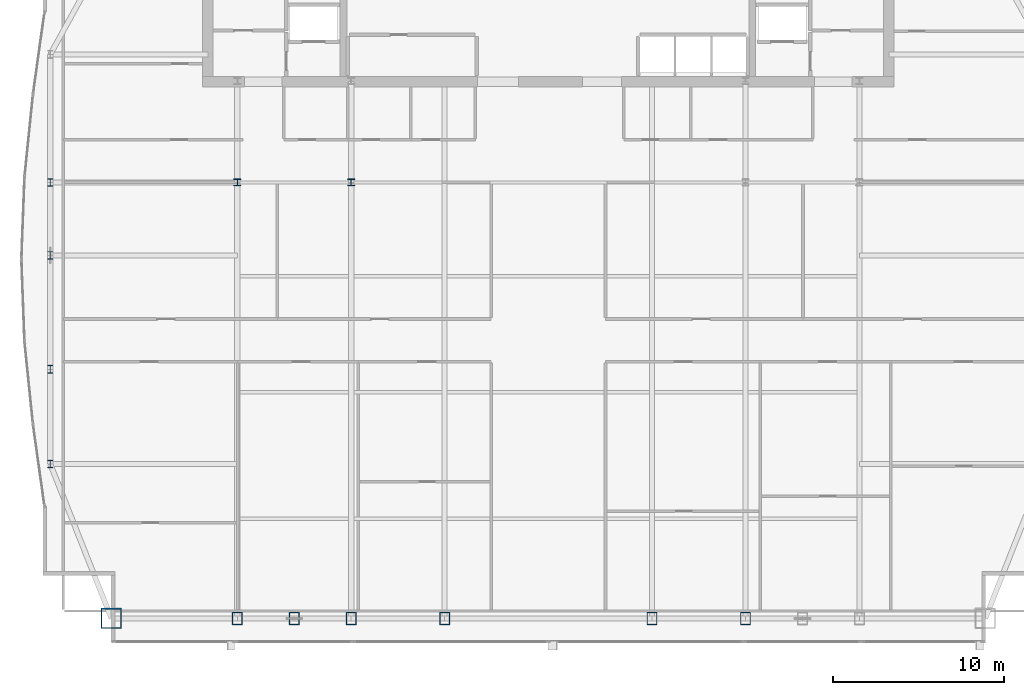
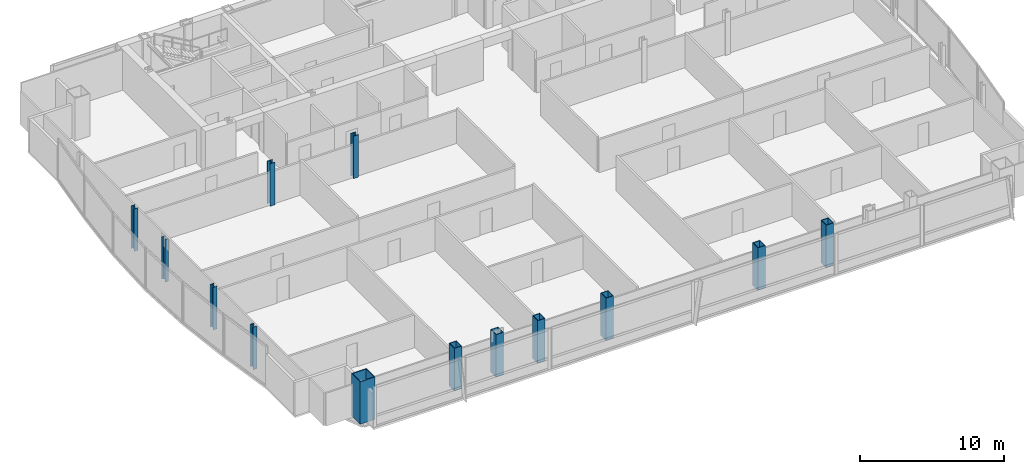
# One storey, part 1 of 32: 13 columns.
"""IFC4 building model written with IfcOpenShell, lengths in metres."""

import ifcopenshell
import ifcopenshell.guid

model = None  # the IFC model being written
_history = None  # IfcOwnerHistory: only IFC2X3 demands one
_inside = {}  # id of a spatial element -> (the spatial element, [elements in it])
_under = {}  # id of a project, library or spatial element -> (it, [spatial elements below it])
_declared = {}  # id of a project -> (the project, [libraries it declares])
_typed = {}  # id of a type object -> (the type object, [elements of that type])
_made_of = {}  # id of a material, layer set ... -> (it, [elements and type objects made of it])


def new_model(schema):
    """Start an empty IFC model of exactly this schema.

    Asked for "IFC4X3", IfcOpenShell would pick the latest addendum, in which some entities
    have other attributes; the version numbers below select the first issue.
    IFC2X3 requires an IfcOwnerHistory on every rooted entity: one is made here for all.
    """
    global model, _history
    if schema == "IFC4X3":
        model = ifcopenshell.file(schema_version=(4, 3, 0, 0))
    else:
        model = ifcopenshell.file(schema=schema)
    _inside.clear()
    _under.clear()
    _declared.clear()
    _typed.clear()
    _made_of.clear()
    _history = None
    if model.schema == "IFC2X3":
        org = make("IfcOrganization", Name="unknown")
        user = make(
            "IfcPersonAndOrganization",
            ThePerson=make("IfcPerson", FamilyName="unknown"),
            TheOrganization=org,
        )
        app = make(
            "IfcApplication",
            ApplicationDeveloper=org,
            Version="unknown",
            ApplicationFullName="unknown",
            ApplicationIdentifier="unknown",
        )
        _history = make(
            "IfcOwnerHistory",
            OwningUser=user,
            OwningApplication=app,
            ChangeAction="ADDED",
            CreationDate=0,
        )
    return model


def make(cls, **values):
    """One entity of the class cls with the attributes given. An attribute that is None is left unset."""
    return model.create_entity(
        cls, **{name: value for name, value in values.items() if value is not None}
    )


def rooted(cls, **values):
    """An entity with a GlobalId (a new one), such as an element, a storey or a relation."""
    return make(cls, GlobalId=ifcopenshell.guid.new(), OwnerHistory=_history, **values)


def si_unit(unit_type, name, prefix=None):
    """IfcSIUnit, for example si_unit("LENGTHUNIT", "METRE", prefix="MILLI")."""
    return make("IfcSIUnit", UnitType=unit_type, Prefix=prefix, Name=name)


def assignment(units):
    """IfcUnitAssignment: the units of a project."""
    return None if units is None else make("IfcUnitAssignment", Units=units)


def point(xyz):
    """IfcCartesianPoint."""
    return None if xyz is None else make("IfcCartesianPoint", Coordinates=xyz)


def direction(xyz):
    """IfcDirection."""
    return None if xyz is None else make("IfcDirection", DirectionRatios=xyz)


def frame(location, z_axis=None, x_axis=None):
    """IfcAxis2Placement3D, a coordinate frame: its origin and axes. An axis left out is left unset."""
    return make(
        "IfcAxis2Placement3D",
        Location=point(location),
        Axis=direction(z_axis),
        RefDirection=direction(x_axis),
    )


def frame_2d(location, x_axis=None):
    """IfcAxis2Placement2D, a coordinate frame in the plane: its origin and x axis."""
    return make(
        "IfcAxis2Placement2D", Location=point(location), RefDirection=direction(x_axis)
    )


def origin():
    """The frame at (0, 0, 0) with its axes left unset."""
    return frame((0.0, 0.0, 0.0))


def origin_2d():
    """The frame at (0, 0) in the plane with its x axis left unset."""
    return frame_2d((0.0, 0.0))


def place(relative_to, where):
    """IfcLocalPlacement: puts the frame where relative to a parent placement (None: the world)."""
    return make(
        "IfcLocalPlacement", PlacementRelTo=relative_to, RelativePlacement=where
    )


def context(
    kind, dimensions, precision=None, world=None, true_north=None, identifier=None
):
    """IfcGeometricRepresentationContext, for example the 3D "Model" context."""
    return make(
        "IfcGeometricRepresentationContext",
        ContextIdentifier=identifier,
        ContextType=kind,
        CoordinateSpaceDimension=dimensions,
        Precision=precision,
        WorldCoordinateSystem=world,
        TrueNorth=true_north,
    )


def subcontext(parent, identifier, kind, view, scale=None):
    """IfcGeometricRepresentationSubContext, for example "Body" below "Model"."""
    return make(
        "IfcGeometricRepresentationSubContext",
        ContextIdentifier=identifier,
        ContextType=kind,
        ParentContext=parent,
        TargetScale=scale,
        TargetView=view,
    )


def project(units=None, contexts=None):
    """IfcProject with its units and contexts."""
    return rooted(
        "IfcProject",
        Name="project",
        RepresentationContexts=contexts,
        UnitsInContext=assignment(units),
    )


def spatial(cls, under=None, at=None, **own):
    """A site, building, storey or space (cls), placed at a placement, below another one or the project."""
    s = rooted(cls, ObjectPlacement=at, **own)
    if under is not None:
        _under.setdefault(under.id(), (under, []))[1].append(s)
    return s


def profile(cls, at=None, kind="AREA", **sizes):
    """A parametric profile (cls). Its sizes go by their IFC names, for example OverallWidth=200.0."""
    return make(cls, ProfileType=kind, Position=at, **sizes)


def hollow_rectangle(**sizes):
    """IfcRectangleHollowProfileDef."""
    return profile("IfcRectangleHollowProfileDef", **sizes)


def i_section(**sizes):
    """IfcIShapeProfileDef."""
    return profile("IfcIShapeProfileDef", **sizes)


def extrude(swept, where, along, depth):
    """IfcExtrudedAreaSolid: the profile swept, set in the frame where, extruded along a direction by depth."""
    return make(
        "IfcExtrudedAreaSolid",
        SweptArea=swept,
        Position=where,
        ExtrudedDirection=direction(along),
        Depth=depth,
    )


def shape(context_of_items, identifier, shape_type, items):
    """IfcShapeRepresentation: the items that make up one representation, for example the "Body"."""
    return make(
        "IfcShapeRepresentation",
        ContextOfItems=context_of_items,
        RepresentationIdentifier=identifier,
        RepresentationType=shape_type,
        Items=items,
    )


def material(Name=None, Category=None):
    """IfcMaterial."""
    return make("IfcMaterial", Name=Name, Category=Category)


def material_profile(
    of_material, cross_section, Name=None, Category=None, Priority=None
):
    """IfcMaterialProfile: a cross section and its material."""
    return make(
        "IfcMaterialProfile",
        Name=Name,
        Material=of_material,
        Profile=cross_section,
        Priority=Priority,
        Category=Category,
    )


def profile_set(profiles, Name=None, composite=None):
    """IfcMaterialProfileSet."""
    return make(
        "IfcMaterialProfileSet",
        Name=Name,
        MaterialProfiles=profiles,
        CompositeProfile=composite,
    )


def made_of(thing, what):
    """Note that an element or type object is made of a material, layer set ...; save() writes the relation."""
    if what is not None:
        _made_of.setdefault(what.id(), (what, []))[1].append(thing)
    return thing


def type_object(cls, material=None, **own):
    """A type object (cls), such as IfcWallType, which elements share."""
    return made_of(rooted(cls, **own), material)


def element(
    cls,
    number,
    at=None,
    inside=None,
    cuts=None,
    type_object=None,
    material=None,
    context=None,
    identifier="Body",
    shape_type=None,
    held_by="IfcProductDefinitionShape",
    body=None,
    shapes=None,
    **own,
):
    """One element of the class cls, such as IfcWall. Its Tag is "e" and its number.

    at: its placement. inside: the storey or other place that contains it. cuts: it is an
    opening in that element (IfcRelVoidsElement). A single representation is given by context,
    identifier, shape_type and body (its items); several are given by shapes. held_by: the class
    of the entity that holds the representations. save() writes the other relations.
    """
    e = rooted(cls, Tag="e%d" % number, ObjectPlacement=at, **own)
    if body is not None:
        shapes = [shape(context, identifier, shape_type, body)]
    if shapes is not None:
        e.Representation = make(held_by, Representations=shapes)
    if inside is not None:
        _inside.setdefault(inside.id(), (inside, []))[1].append(e)
    if cuts is not None:
        rooted(
            "IfcRelVoidsElement", RelatingBuildingElement=cuts, RelatedOpeningElement=e
        )
    if type_object is not None:
        _typed.setdefault(type_object.id(), (type_object, []))[1].append(e)
    return made_of(e, material)


def aggregate(whole, parts):
    """IfcRelAggregates: a whole, such as a stair, and the parts it consists of."""
    return rooted("IfcRelAggregates", RelatingObject=whole, RelatedObjects=parts)


def save(model, path):
    """Write the relations noted so far, then the file.

    IfcRelAggregates (storeys below a building ...), IfcRelContainedInSpatialStructure (elements
    in a storey), IfcRelDefinesByType, IfcRelAssociatesMaterial and IfcRelDeclares: one each for
    every whole, place, type object, material and project.
    """
    for whole, parts in _under.values():
        aggregate(whole, parts)
    for where, things in _inside.values():
        rooted(
            "IfcRelContainedInSpatialStructure",
            RelatedElements=things,
            RelatingStructure=where,
        )
    for kind, things in _typed.values():
        rooted("IfcRelDefinesByType", RelatedObjects=things, RelatingType=kind)
    for what, things in _made_of.values():
        rooted("IfcRelAssociatesMaterial", RelatedObjects=things, RelatingMaterial=what)
    for by, libraries in _declared.values():
        rooted("IfcRelDeclares", RelatingContext=by, RelatedDefinitions=libraries)
    model.write(path)


model = new_model("IFC4")

# Units and contexts
model_context = context("Model", 3, precision=1e-05, world=origin(), true_north=direction((0.0, 1.0)))
body_context = subcontext(model_context, "Body", "Model", "MODEL_VIEW")
ifc_project = project(units=[si_unit("LENGTHUNIT", "METRE"), si_unit("AREAUNIT", "SQUARE_METRE"), si_unit("VOLUMEUNIT", "CUBIC_METRE"), si_unit("PLANEANGLEUNIT", "RADIAN"), si_unit("MASSUNIT", "GRAM", prefix="KILO")], contexts=[model_context])

# Site, building, storey
site_placement = place(None, origin())
site = spatial("IfcSite", under=ifc_project, at=site_placement, CompositionType="ELEMENT")
building_placement = place(site_placement, origin())
building = spatial("IfcBuilding", under=site, at=building_placement, Name="Khoronbel Lancet Exchange", CompositionType="ELEMENT")
storey_placement = place(building_placement, frame((0.0, 0.0, 228.199951171875)))
storey = spatial("IfcBuildingStorey", under=building, at=storey_placement, Name="L58", CompositionType="ELEMENT", Elevation=228.199951171875)

# Columns
ifc_material_1 = material(Name="Steel S460", Category="steel")
ifc_material_profile_1 = material_profile(ifc_material_1, hollow_rectangle(XDim=0.60009765625, YDim=0.75, WallThickness=0.044921875, at=origin_2d()), Name="BOX 750x600x45")
ifc_profile_set_1 = profile_set([ifc_material_profile_1], Name="Steel S460")
column_type_1 = type_object("IfcColumnType", Name="COL-EC3", PredefinedType="COLUMN", material=ifc_profile_set_1)
for number, where, z_axis, x_axis, name in (
    (1, (18.22509765625, 10.14990234375, 0.0), (0.0, 0.0, 1.0), (1.0, 0.0, 0.0), "Structural column SC-W1 L58"),
    (2, (21.5625, 10.14990234375, 0.0), (0.0, 0.0, 1.0), (1.0, 0.0, 0.0), "Structural column SC-WM L58"),
    (3, (24.89990234375, 10.14990234375, 0.0), (0.0, 0.0, 1.0), (1.0, 0.0, 0.0), "Structural column SC-W2 L58"),
    (4, (30.375, 10.14990234375, 0.0), (0.0, 0.0, 1.0), (1.0, 0.0, 0.0), "Structural column SC-C1 L58"),
    (5, (42.52490234375, 10.14990234375, 0.0), (0.0, 0.0, 1.0), (1.0, 0.0, 0.0), "Structural column SC-C2 L58"),
    (6, (48.0, 10.14990234375, 0.0), (0.0, 0.0, 1.0), (1.0, 0.0, 0.0), "Structural column SC-E1 L58"),
):
    element("IfcColumn", number, at=place(storey_placement, frame(where, z_axis=z_axis, x_axis=x_axis)), inside=storey, type_object=column_type_1, Name=name, PredefinedType="COLUMN", context=body_context, shape_type="SweptSolid", body=[
        extrude(hollow_rectangle(XDim=0.60009765625, YDim=0.75, WallThickness=0.044921875, at=origin_2d()), origin(), (0.0, 0.0, 1.0), 3.60009765625),
    ])
ifc_material_2 = material(Name="Steel S355", Category="steel")
ifc_material_profile_2 = material_profile(ifc_material_2, i_section(OverallWidth=0.406005859375, OverallDepth=0.416015625, WebThickness=0.02978515625, FlangeThickness=0.048095703125, at=origin_2d()), Name="HD 400x382")
ifc_profile_set_2 = profile_set([ifc_material_profile_2], Name="Steel S355")
column_type_2 = type_object("IfcColumnType", Name="COL-IC3", PredefinedType="COLUMN", material=ifc_profile_set_2)
for number, where, z_axis, x_axis, name in (
    (7, (18.22509765625, 35.699951171875, 0.0), (0.0, 0.0, 1.0), (1.0, 0.0, 0.0), "Spine gravity column TC1 L58"),
    (8, (24.89990234375, 35.699951171875, 0.0), (0.0, 0.0, 1.0), (1.0, 0.0, 0.0), "Spine gravity column TC2 L58"),
):
    element("IfcColumn", number, at=place(storey_placement, frame(where, z_axis=z_axis, x_axis=x_axis)), inside=storey, type_object=column_type_2, Name=name, PredefinedType="COLUMN", context=body_context, shape_type="SweptSolid", body=[
        extrude(i_section(OverallWidth=0.406005859375, OverallDepth=0.416015625, WebThickness=0.02978515625, FlangeThickness=0.048095703125, at=origin_2d()), origin(), (0.0, 0.0, 1.0), 3.60009765625),
    ])
ifc_material_profile_3 = material_profile(ifc_material_2, i_section(OverallWidth=0.300048828125, OverallDepth=0.449951171875, WebThickness=0.013916015625, FlangeThickness=0.02587890625, at=origin_2d()), Name="HEB 450")
ifc_profile_set_3 = profile_set([ifc_material_profile_3], Name="Steel S355")
column_type_3 = type_object("IfcColumnType", Name="COL-LC2", PredefinedType="COLUMN", material=ifc_profile_set_3)
for number, where, z_axis, x_axis, name in (
    (9, (7.27001953125, 19.199951171875, 0.0), (0.0, 0.0, 1.0), (1.0, 0.0, 0.0), "Structural column WC-1 L58"),
    (10, (7.27001953125, 24.75, 0.0), (0.0, 0.0, 1.0), (1.0, 0.0, 0.0), "Structural column WC-2 L58"),
    (11, (7.27001953125, 31.425048828125, 0.0), (0.0, 0.0, 1.0), (1.0, 0.0, 0.0), "Structural column WC-M L58"),
    (12, (7.27001953125, 35.699951171875, 0.0), (0.0, 0.0, 1.0), (1.0, 0.0, 0.0), "Structural column WC-3 L58"),
):
    element("IfcColumn", number, at=place(storey_placement, frame(where, z_axis=z_axis, x_axis=x_axis)), inside=storey, type_object=column_type_3, Name=name, PredefinedType="COLUMN", context=body_context, shape_type="SweptSolid", body=[
        extrude(i_section(OverallWidth=0.300048828125, OverallDepth=0.449951171875, WebThickness=0.013916015625, FlangeThickness=0.02587890625, at=origin_2d()), origin(), (0.0, 0.0, 1.0), 3.60009765625),
    ])
ifc_material_profile_4 = material_profile(ifc_material_1, hollow_rectangle(XDim=1.199951171875, YDim=1.199951171875, WallThickness=0.06005859375, at=origin_2d()), Name="BOX 1200x1200x60")
ifc_profile_set_4 = profile_set([ifc_material_profile_4], Name="Steel S460")
column_type_4 = type_object("IfcColumnType", Name="COL-MC5", PredefinedType="COLUMN", material=ifc_profile_set_4)
column_placement = place(storey_placement, frame((10.85009765625, 10.14990234375, 0.0), z_axis=(0.0, 0.0, 1.0), x_axis=(1.0, 0.0, 0.0)))
element("IfcColumn", 13, at=column_placement, inside=storey, type_object=column_type_4, Name="Structural column MC-SW L58", PredefinedType="COLUMN", context=body_context, shape_type="SweptSolid", body=[
    extrude(hollow_rectangle(XDim=1.199951171875, YDim=1.199951171875, WallThickness=0.06005859375, at=origin_2d()), origin(), (0.0, 0.0, 1.0), 3.60009765625),
])

save(model, "model.ifc")
